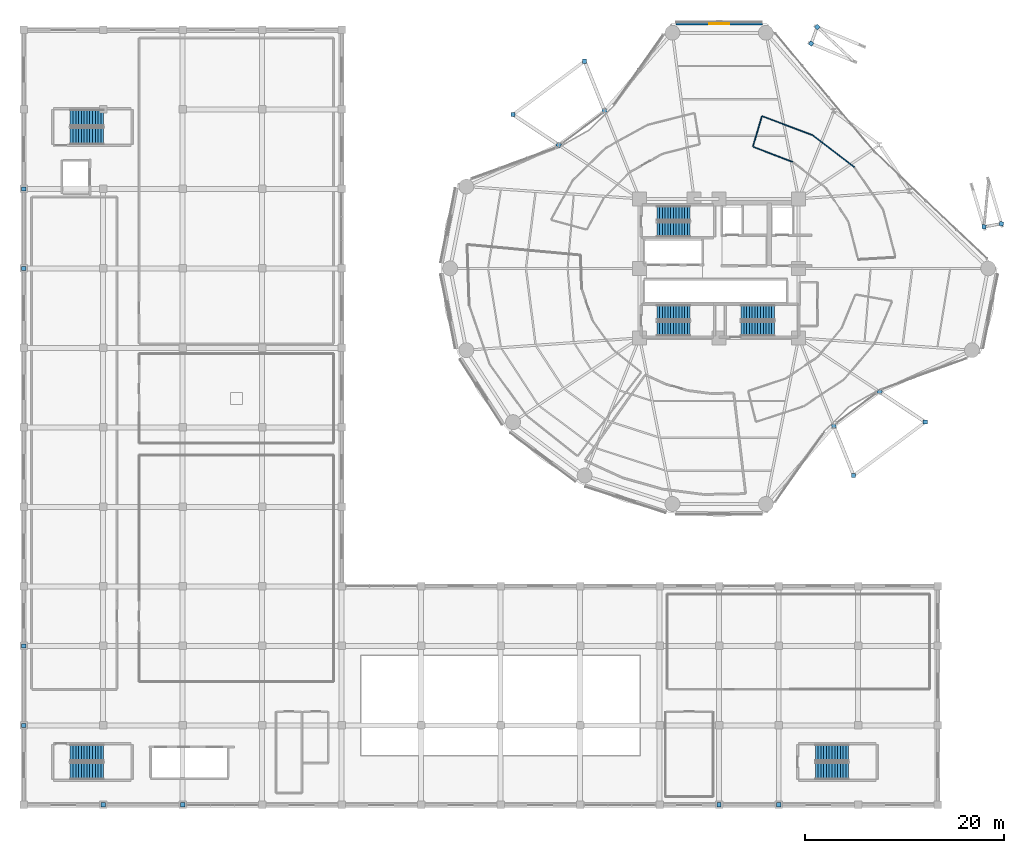
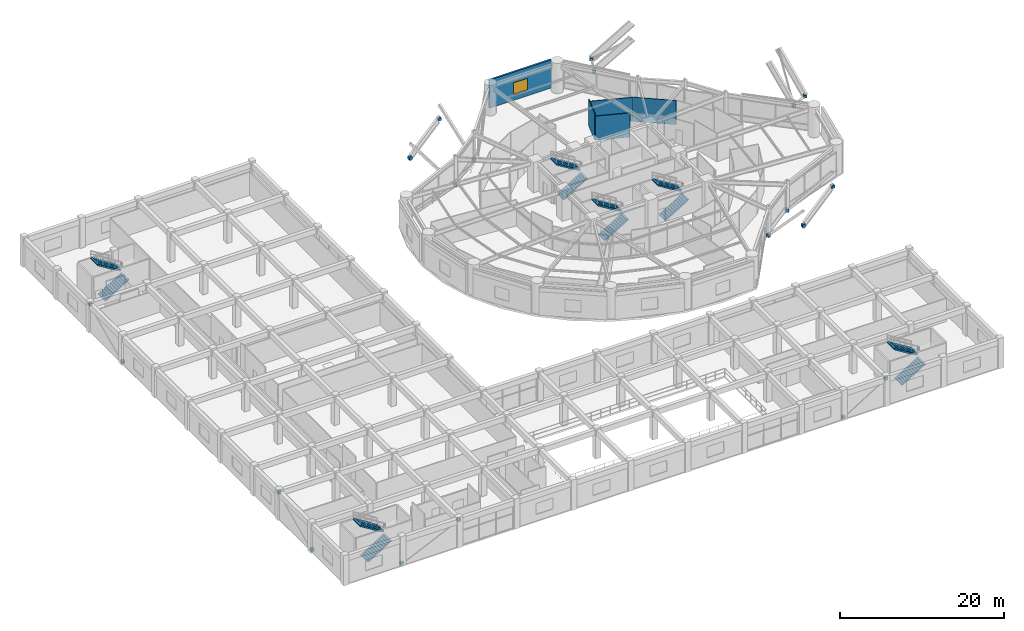
# One storey, part 47 of 55: 20 discrete accessories, 12 stair flights, 5 walls, 1 window, 1 opening, 6 elements without a shape of their own.
"""IFC4 building model written with IfcOpenShell, lengths in metres."""

from ifc_helpers import new_model, si_unit, direction, frame, frame_2d, origin, origin_2d, place, context, subcontext, project, spatial, polyline, rectangle, outline, extrude, source, transform, mapped, material, layer, layer_set, type_object, element, fill, aggregate, save


model = new_model("IFC4")

# Units and contexts
model_context = context("Model", 3, precision=1e-05, world=origin(), true_north=direction((0.0, 1.0)))
body_context = subcontext(model_context, "Body", "Model", "MODEL_VIEW")
ifc_project = project(units=[si_unit("LENGTHUNIT", "METRE"), si_unit("AREAUNIT", "SQUARE_METRE"), si_unit("VOLUMEUNIT", "CUBIC_METRE"), si_unit("PLANEANGLEUNIT", "RADIAN"), si_unit("MASSUNIT", "GRAM", prefix="KILO")], contexts=[model_context])

# Site, building, storey
site_placement = place(None, origin())
site = spatial("IfcSite", under=ifc_project, at=site_placement, CompositionType="ELEMENT")
building_placement = place(site_placement, origin())
building = spatial("IfcBuilding", under=site, at=building_placement, Name="Kelanora Arch Commons", CompositionType="ELEMENT")
storey_placement = place(building_placement, frame((0.0, 0.0, 4.5)))
storey = spatial("IfcBuildingStorey", under=building, at=storey_placement, Name="L01", CompositionType="ELEMENT", Elevation=4.5)

# Wall, opening, window
ifc_material_1 = material(Name="Precast concrete C40/50 with terracotta rainscreen", Category="masonry")
ifc_layer_1 = layer(ifc_material_1, 0.260009765625)
ifc_layer_set_1 = layer_set([ifc_layer_1], Name="Precast concrete C40/50 with terracotta rainscreen")
wall_type_1 = type_object("IfcWallType", Name="W-EXT-TC", PredefinedType="SOLIDWALL", material=ifc_layer_set_1)
wall_1_placement = place(storey_placement, frame((78.35595703125, 82.6201171875, 0.0), z_axis=(0.0, 0.0, 1.0), x_axis=(-1.0, 0.0, 0.0)))
wall_1 = element("IfcWall", 1, at=wall_1_placement, inside=storey, type_object=wall_type_1, Name="Terracotta Exterior Wall L01-B04", PredefinedType="SOLIDWALL", context=body_context, shape_type="SweptSolid", body=[
    extrude(rectangle(XDim=8.7119140625, YDim=0.260009765625, at=frame_2d((4.35595703125, 0.0))), origin(), (0.0, 0.0, 1.0), 4.18505859375),
])
opening_placement = place(wall_1_placement, frame((3.35595703125, 0.0, 0.85009765625)))
opening = element("IfcOpeningElement", 2, at=opening_placement, cuts=wall_1, Name="Opening WN-05", PredefinedType="OPENING", context=body_context, shape_type="SweptSolid", body=[
    extrude(rectangle(XDim=2.0, YDim=1.75, at=frame_2d((1.0, 0.875))), frame((0.0, 0.14013671875, 0.0), z_axis=(0.0, -1.0, 0.0), x_axis=(1.0, 0.0, 0.0)), (0.0, 0.0, 1.0), 0.280029296875),
])
ifc_material_2 = material(Name="Terracotta-anodised aluminium podium window", Category="masonry")
window_type = type_object("IfcWindowType", Name="WIN-POD-20", PartitioningType="TRIPLE_PANEL_VERTICAL", PredefinedType="WINDOW", material=ifc_material_2)
window_placement = place(opening_placement, origin())
window = element("IfcWindow", 3, at=window_placement, inside=storey, type_object=window_type, Name="Podium Window L01-B04", OverallHeight=1.75, OverallWidth=2.0, PartitioningType="SINGLE_PANEL", PredefinedType="WINDOW", context=body_context, shape_type="SweptSolid", body=[
    extrude(rectangle(XDim=2.0, YDim=1.75, at=frame_2d((1.0, 0.875))), frame((0.0, 0.030029296875, 0.0), z_axis=(0.0, -1.0, 0.0), x_axis=(1.0, 0.0, 0.0)), (0.0, 0.0, 1.0), 0.06005859375),
])
fill(opening, window)

# Walls
ifc_material_3 = material(Name="Lightweight fire-rated acoustic stud partition")
ifc_layer_2 = layer(ifc_material_3, 0.10009765625)
ifc_layer_set_2 = layer_set([ifc_layer_2], Name="Lightweight fire-rated acoustic stud partition")
wall_type_2 = type_object("IfcWallType", Name="W-PART-100", PredefinedType="PARTITIONING", material=ifc_layer_set_2)
wall_2_placement = place(storey_placement, frame((81.3916015625, 68.71630859375, 0.0), z_axis=(0.0, 0.0, 1.0), x_axis=(-0.934094181621, 0.357026693487, 0.0)))
element("IfcWall", 4, at=wall_2_placement, inside=storey, type_object=wall_type_2, Name="Arch Portal Overlook Co-Working Commons L01-A Enclosure Partition 4", PredefinedType="PARTITIONING", context=body_context, shape_type="SweptSolid", body=[
    extrude(rectangle(XDim=4.24169921875, YDim=0.10009765625, at=frame_2d((2.120849609375, 0.0))), origin(), (0.0, 0.0, 1.0), 3.5849609375),
])
wall_3_placement = place(storey_placement, frame((77.4033203125, 70.283447265625, 0.0), z_axis=(0.0, 0.0, 1.0), x_axis=(0.284027408145, 0.958816161432, 0.0)))
element("IfcWall", 5, at=wall_3_placement, inside=storey, type_object=wall_type_2, Name="Arch Portal Overlook Co-Working Commons L01-A Enclosure Partition 5", PredefinedType="PARTITIONING", context=body_context, shape_type="SweptSolid", body=[
    extrude(rectangle(XDim=3.13818359375, YDim=0.10009765625, at=frame_2d((1.569091796875, 0.0))), origin(), (0.0, 0.0, 1.0), 3.945068359375),
])
wall_4_placement = place(storey_placement, frame((78.343505859375, 73.31689453125, 0.0), z_axis=(0.0, 0.0, 1.0), x_axis=(0.935761144596, -0.35263448536, 0.0)))
element("IfcWall", 6, at=wall_4_placement, inside=storey, type_object=wall_type_2, Name="Arch Portal Overlook Co-Working Commons L01-A Enclosure Partition 6", PredefinedType="PARTITIONING", context=body_context, shape_type="SweptSolid", body=[
    extrude(rectangle(XDim=5.39892578125, YDim=0.10009765625, at=frame_2d((2.699462890625, 0.0))), origin(), (0.0, 0.0, 1.0), 3.5849609375),
])
wall_5_placement = place(storey_placement, frame((83.464599609375, 71.37451171875, 0.0), z_axis=(0.0, 0.0, 1.0), x_axis=(0.791722248932, -0.610881232766, 0.0)))
element("IfcWall", 7, at=wall_5_placement, inside=storey, type_object=wall_type_2, Name="Arch Portal Overlook Co-Working Commons L01-A Enclosure Partition 7", PredefinedType="PARTITIONING", context=body_context, shape_type="SweptSolid", body=[
    extrude(rectangle(XDim=5.228759765625, YDim=0.10009765625, at=frame_2d((2.6142578125, 0.0))), origin(), (0.0, 0.0, 1.0), 3.5849609375),
])

# Stair, stair flights
ifc_material_4 = material(Name="Concrete C40/50", Category="concrete")
stair_type = type_object("IfcStairType", Name="STR-DL-450", PredefinedType="HALF_TURN_STAIR", material=ifc_material_4)
stair_1_placement = place(storey_placement, origin())
stair_1 = element("IfcStair", 8, at=stair_1_placement, inside=storey, type_object=stair_type, Name="L01 ST-T1", PredefinedType="HALF_TURN_STAIR")
stair_flight_type = type_object("IfcStairFlightType", Name="FLT-DL-450", PredefinedType="STRAIGHT", material=ifc_material_4)
stair_flight_1_placement = place(storey_placement, frame((67.719970703125, 61.919921875, 0.0), z_axis=(0.0, 0.0, 1.0), x_axis=(1.0, 0.0, 0.0)))
stair_flight_1 = element("IfcStairFlight", 9, at=stair_flight_1_placement, type_object=stair_flight_type, Name="ST-T1 flight 1", NumberOfRisers=13, NumberOfTreads=12, PredefinedType="STRAIGHT", RiserHeight=0.173076923, TreadLength=0.28, context=body_context, shape_type="SweptSolid", body=[
    extrude(outline(polyline([(0.0, 0.0), (0.0, 0.173095703125), (0.280029296875, 0.173095703125), (0.280029296875, 0.34619140625), (0.56005859375, 0.34619140625), (0.56005859375, 0.519287109375), (0.840087890625, 0.519287109375), (0.840087890625, 0.6923828125), (1.1201171875, 0.6923828125), (1.1201171875, 0.865478515625), (1.39990234375, 0.865478515625), (1.39990234375, 1.03857421875), (1.679931640625, 1.03857421875), (1.679931640625, 1.21142578125), (1.9599609375, 1.21142578125), (1.9599609375, 1.384521484375), (2.239990234375, 1.384521484375), (2.239990234375, 1.5576171875), (2.52001953125, 1.5576171875), (2.52001953125, 1.730712890625), (2.800048828125, 1.730712890625), (2.800048828125, 1.90380859375), (3.080078125, 1.90380859375), (3.080078125, 2.076904296875), (3.360107421875, 2.076904296875), (3.360107421875, 2.25), (3.360107421875, 1.900634765625), (0.28515625, 0.0), (0.0, 0.0)])), frame((0.0, 0.739990234375, 0.0), z_axis=(0.0, -1.0, 0.0), x_axis=(1.0, 0.0, 0.0)), (0.0, 0.0, 1.0), 1.47998046875),
])
stair_flight_2_placement = place(storey_placement, frame((71.080078125, 63.550048828125, 2.25), z_axis=(0.0, 0.0, 1.0), x_axis=(-1.0, 0.0, 0.0)))
stair_flight_2 = element("IfcStairFlight", 10, at=stair_flight_2_placement, type_object=stair_flight_type, Name="ST-T1 flight 2", NumberOfRisers=13, NumberOfTreads=12, PredefinedType="STRAIGHT", RiserHeight=0.173076923, TreadLength=0.28, context=body_context, shape_type="SweptSolid", body=[
    extrude(outline(polyline([(0.0, 0.0), (0.0, 0.173095703125), (0.280029296875, 0.173095703125), (0.280029296875, 0.34619140625), (0.56005859375, 0.34619140625), (0.56005859375, 0.519287109375), (0.840087890625, 0.519287109375), (0.840087890625, 0.6923828125), (1.1201171875, 0.6923828125), (1.1201171875, 0.865478515625), (1.39990234375, 0.865478515625), (1.39990234375, 1.03857421875), (1.679931640625, 1.03857421875), (1.679931640625, 1.21142578125), (1.9599609375, 1.21142578125), (1.9599609375, 1.384521484375), (2.239990234375, 1.384521484375), (2.239990234375, 1.5576171875), (2.52001953125, 1.5576171875), (2.52001953125, 1.730712890625), (2.800048828125, 1.730712890625), (2.800048828125, 1.90380859375), (3.080078125, 1.90380859375), (3.080078125, 2.076904296875), (3.360107421875, 2.076904296875), (3.360107421875, 2.25), (3.360107421875, 1.900634765625), (0.28515625, 0.0), (0.0, 0.0)])), frame((0.0, 0.739990234375, 0.0), z_axis=(0.0, -1.0, 0.0), x_axis=(1.0, 0.0, 0.0)), (0.0, 0.0, 1.0), 1.47998046875),
])
aggregate(stair_1, [stair_flight_1, stair_flight_2])

stair_2_placement = place(storey_placement, origin())
stair_2 = element("IfcStair", 11, at=stair_2_placement, inside=storey, type_object=stair_type, Name="L01 ST-T2", PredefinedType="HALF_TURN_STAIR")
stair_flight_3_placement = place(storey_placement, frame((76.199951171875, 51.919921875, 0.0), z_axis=(0.0, 0.0, 1.0), x_axis=(1.0, 0.0, 0.0)))
stair_flight_3 = element("IfcStairFlight", 12, at=stair_flight_3_placement, type_object=stair_flight_type, Name="ST-T2 flight 1", NumberOfRisers=13, NumberOfTreads=12, PredefinedType="STRAIGHT", RiserHeight=0.173076923, TreadLength=0.28, context=body_context, shape_type="SweptSolid", body=[
    extrude(outline(polyline([(0.0, 0.0), (0.0, 0.173095703125), (0.280029296875, 0.173095703125), (0.280029296875, 0.34619140625), (0.56005859375, 0.34619140625), (0.56005859375, 0.519287109375), (0.840087890625, 0.519287109375), (0.840087890625, 0.6923828125), (1.1201171875, 0.6923828125), (1.1201171875, 0.865478515625), (1.39990234375, 0.865478515625), (1.39990234375, 1.03857421875), (1.679931640625, 1.03857421875), (1.679931640625, 1.21142578125), (1.9599609375, 1.21142578125), (1.9599609375, 1.384521484375), (2.239990234375, 1.384521484375), (2.239990234375, 1.5576171875), (2.52001953125, 1.5576171875), (2.52001953125, 1.730712890625), (2.800048828125, 1.730712890625), (2.800048828125, 1.90380859375), (3.080078125, 1.90380859375), (3.080078125, 2.076904296875), (3.360107421875, 2.076904296875), (3.360107421875, 2.25), (3.360107421875, 1.900634765625), (0.28515625, 0.0), (0.0, 0.0)])), frame((0.0, 0.739990234375, 0.0), z_axis=(0.0, -1.0, 0.0), x_axis=(1.0, 0.0, 0.0)), (0.0, 0.0, 1.0), 1.47998046875),
])
stair_flight_4_placement = place(storey_placement, frame((79.56005859375, 53.550048828125, 2.25), z_axis=(0.0, 0.0, 1.0), x_axis=(-1.0, 0.0, 0.0)))
stair_flight_4 = element("IfcStairFlight", 13, at=stair_flight_4_placement, type_object=stair_flight_type, Name="ST-T2 flight 2", NumberOfRisers=13, NumberOfTreads=12, PredefinedType="STRAIGHT", RiserHeight=0.173076923, TreadLength=0.28, context=body_context, shape_type="SweptSolid", body=[
    extrude(outline(polyline([(0.0, 0.0), (0.0, 0.173095703125), (0.280029296875, 0.173095703125), (0.280029296875, 0.34619140625), (0.56005859375, 0.34619140625), (0.56005859375, 0.519287109375), (0.840087890625, 0.519287109375), (0.840087890625, 0.6923828125), (1.1201171875, 0.6923828125), (1.1201171875, 0.865478515625), (1.39990234375, 0.865478515625), (1.39990234375, 1.03857421875), (1.679931640625, 1.03857421875), (1.679931640625, 1.21142578125), (1.9599609375, 1.21142578125), (1.9599609375, 1.384521484375), (2.239990234375, 1.384521484375), (2.239990234375, 1.5576171875), (2.52001953125, 1.5576171875), (2.52001953125, 1.730712890625), (2.800048828125, 1.730712890625), (2.800048828125, 1.90380859375), (3.080078125, 1.90380859375), (3.080078125, 2.076904296875), (3.360107421875, 2.076904296875), (3.360107421875, 2.25), (3.360107421875, 1.900634765625), (0.28515625, 0.0), (0.0, 0.0)])), frame((0.0, 0.739990234375, 0.0), z_axis=(0.0, -1.0, 0.0), x_axis=(1.0, 0.0, 0.0)), (0.0, 0.0, 1.0), 1.47998046875),
])
aggregate(stair_2, [stair_flight_3, stair_flight_4])

stair_3_placement = place(storey_placement, origin())
stair_3 = element("IfcStair", 14, at=stair_3_placement, inside=storey, type_object=stair_type, Name="L01 ST-T3", PredefinedType="HALF_TURN_STAIR")
stair_flight_5_placement = place(storey_placement, frame((67.719970703125, 51.919921875, 0.0), z_axis=(0.0, 0.0, 1.0), x_axis=(1.0, 0.0, 0.0)))
stair_flight_5 = element("IfcStairFlight", 15, at=stair_flight_5_placement, type_object=stair_flight_type, Name="ST-T3 flight 1", NumberOfRisers=13, NumberOfTreads=12, PredefinedType="STRAIGHT", RiserHeight=0.173076923, TreadLength=0.28, context=body_context, shape_type="SweptSolid", body=[
    extrude(outline(polyline([(0.0, 0.0), (0.0, 0.173095703125), (0.280029296875, 0.173095703125), (0.280029296875, 0.34619140625), (0.56005859375, 0.34619140625), (0.56005859375, 0.519287109375), (0.840087890625, 0.519287109375), (0.840087890625, 0.6923828125), (1.1201171875, 0.6923828125), (1.1201171875, 0.865478515625), (1.39990234375, 0.865478515625), (1.39990234375, 1.03857421875), (1.679931640625, 1.03857421875), (1.679931640625, 1.21142578125), (1.9599609375, 1.21142578125), (1.9599609375, 1.384521484375), (2.239990234375, 1.384521484375), (2.239990234375, 1.5576171875), (2.52001953125, 1.5576171875), (2.52001953125, 1.730712890625), (2.800048828125, 1.730712890625), (2.800048828125, 1.90380859375), (3.080078125, 1.90380859375), (3.080078125, 2.076904296875), (3.360107421875, 2.076904296875), (3.360107421875, 2.25), (3.360107421875, 1.900634765625), (0.28515625, 0.0), (0.0, 0.0)])), frame((0.0, 0.739990234375, 0.0), z_axis=(0.0, -1.0, 0.0), x_axis=(1.0, 0.0, 0.0)), (0.0, 0.0, 1.0), 1.47998046875),
])
stair_flight_6_placement = place(storey_placement, frame((71.080078125, 53.550048828125, 2.25), z_axis=(0.0, 0.0, 1.0), x_axis=(-1.0, 0.0, 0.0)))
stair_flight_6 = element("IfcStairFlight", 16, at=stair_flight_6_placement, type_object=stair_flight_type, Name="ST-T3 flight 2", NumberOfRisers=13, NumberOfTreads=12, PredefinedType="STRAIGHT", RiserHeight=0.173076923, TreadLength=0.28, context=body_context, shape_type="SweptSolid", body=[
    extrude(outline(polyline([(0.0, 0.0), (0.0, 0.173095703125), (0.280029296875, 0.173095703125), (0.280029296875, 0.34619140625), (0.56005859375, 0.34619140625), (0.56005859375, 0.519287109375), (0.840087890625, 0.519287109375), (0.840087890625, 0.6923828125), (1.1201171875, 0.6923828125), (1.1201171875, 0.865478515625), (1.39990234375, 0.865478515625), (1.39990234375, 1.03857421875), (1.679931640625, 1.03857421875), (1.679931640625, 1.21142578125), (1.9599609375, 1.21142578125), (1.9599609375, 1.384521484375), (2.239990234375, 1.384521484375), (2.239990234375, 1.5576171875), (2.52001953125, 1.5576171875), (2.52001953125, 1.730712890625), (2.800048828125, 1.730712890625), (2.800048828125, 1.90380859375), (3.080078125, 1.90380859375), (3.080078125, 2.076904296875), (3.360107421875, 2.076904296875), (3.360107421875, 2.25), (3.360107421875, 1.900634765625), (0.28515625, 0.0), (0.0, 0.0)])), frame((0.0, 0.739990234375, 0.0), z_axis=(0.0, -1.0, 0.0), x_axis=(1.0, 0.0, 0.0)), (0.0, 0.0, 1.0), 1.47998046875),
])
aggregate(stair_3, [stair_flight_5, stair_flight_6])

stair_4_placement = place(storey_placement, origin())
stair_4 = element("IfcStair", 17, at=stair_4_placement, inside=storey, type_object=stair_type, Name="L01 ST-M1", PredefinedType="HALF_TURN_STAIR")
stair_flight_7_placement = place(storey_placement, frame((8.679931640625, 7.39990234375, 0.0), z_axis=(0.0, 0.0, 1.0), x_axis=(1.0, 0.0, 0.0)))
stair_flight_7 = element("IfcStairFlight", 18, at=stair_flight_7_placement, type_object=stair_flight_type, Name="ST-M1 flight 1", NumberOfRisers=13, NumberOfTreads=12, PredefinedType="STRAIGHT", RiserHeight=0.173076923, TreadLength=0.28, context=body_context, shape_type="SweptSolid", body=[
    extrude(outline(polyline([(0.0, 0.0), (0.0, 0.173095703125), (0.280029296875, 0.173095703125), (0.280029296875, 0.34619140625), (0.56005859375, 0.34619140625), (0.56005859375, 0.519287109375), (0.840087890625, 0.519287109375), (0.840087890625, 0.6923828125), (1.1201171875, 0.6923828125), (1.1201171875, 0.865478515625), (1.39990234375, 0.865478515625), (1.39990234375, 1.03857421875), (1.679931640625, 1.03857421875), (1.679931640625, 1.21142578125), (1.9599609375, 1.21142578125), (1.9599609375, 1.384521484375), (2.239990234375, 1.384521484375), (2.239990234375, 1.5576171875), (2.52001953125, 1.5576171875), (2.52001953125, 1.730712890625), (2.800048828125, 1.730712890625), (2.800048828125, 1.90380859375), (3.080078125, 1.90380859375), (3.080078125, 2.076904296875), (3.360107421875, 2.076904296875), (3.360107421875, 2.25), (3.360107421875, 1.900634765625), (0.28515625, 0.0), (0.0, 0.0)])), frame((0.0, 0.83984375, 0.0), z_axis=(0.0, -1.0, 0.0), x_axis=(1.0, 0.0, 0.0)), (0.0, 0.0, 1.0), 1.679931640625),
])
stair_flight_8_placement = place(storey_placement, frame((12.0400390625, 9.22998046875, 2.25), z_axis=(0.0, 0.0, 1.0), x_axis=(-1.0, 0.0, 0.0)))
stair_flight_8 = element("IfcStairFlight", 19, at=stair_flight_8_placement, type_object=stair_flight_type, Name="ST-M1 flight 2", NumberOfRisers=13, NumberOfTreads=12, PredefinedType="STRAIGHT", RiserHeight=0.173076923, TreadLength=0.28, context=body_context, shape_type="SweptSolid", body=[
    extrude(outline(polyline([(0.0, 0.0), (0.0, 0.173095703125), (0.280029296875, 0.173095703125), (0.280029296875, 0.34619140625), (0.56005859375, 0.34619140625), (0.56005859375, 0.519287109375), (0.840087890625, 0.519287109375), (0.840087890625, 0.6923828125), (1.1201171875, 0.6923828125), (1.1201171875, 0.865478515625), (1.39990234375, 0.865478515625), (1.39990234375, 1.03857421875), (1.679931640625, 1.03857421875), (1.679931640625, 1.21142578125), (1.9599609375, 1.21142578125), (1.9599609375, 1.384521484375), (2.239990234375, 1.384521484375), (2.239990234375, 1.5576171875), (2.52001953125, 1.5576171875), (2.52001953125, 1.730712890625), (2.800048828125, 1.730712890625), (2.800048828125, 1.90380859375), (3.080078125, 1.90380859375), (3.080078125, 2.076904296875), (3.360107421875, 2.076904296875), (3.360107421875, 2.25), (3.360107421875, 1.900634765625), (0.28515625, 0.0), (0.0, 0.0)])), frame((0.0, 0.83984375, 0.0), z_axis=(0.0, -1.0, 0.0), x_axis=(1.0, 0.0, 0.0)), (0.0, 0.0, 1.0), 1.679931640625),
])
aggregate(stair_4, [stair_flight_7, stair_flight_8])

stair_5_placement = place(storey_placement, origin())
stair_5 = element("IfcStair", 20, at=stair_5_placement, inside=storey, type_object=stair_type, Name="L01 ST-M2", PredefinedType="HALF_TURN_STAIR")
stair_flight_9_placement = place(storey_placement, frame((83.679931640625, 7.39990234375, 0.0), z_axis=(0.0, 0.0, 1.0), x_axis=(1.0, 0.0, 0.0)))
stair_flight_9 = element("IfcStairFlight", 21, at=stair_flight_9_placement, type_object=stair_flight_type, Name="ST-M2 flight 1", NumberOfRisers=13, NumberOfTreads=12, PredefinedType="STRAIGHT", RiserHeight=0.173076923, TreadLength=0.28, context=body_context, shape_type="SweptSolid", body=[
    extrude(outline(polyline([(0.0, 0.0), (0.0, 0.173095703125), (0.280029296875, 0.173095703125), (0.280029296875, 0.34619140625), (0.56005859375, 0.34619140625), (0.56005859375, 0.519287109375), (0.840087890625, 0.519287109375), (0.840087890625, 0.6923828125), (1.1201171875, 0.6923828125), (1.1201171875, 0.865478515625), (1.39990234375, 0.865478515625), (1.39990234375, 1.03857421875), (1.679931640625, 1.03857421875), (1.679931640625, 1.21142578125), (1.9599609375, 1.21142578125), (1.9599609375, 1.384521484375), (2.239990234375, 1.384521484375), (2.239990234375, 1.5576171875), (2.52001953125, 1.5576171875), (2.52001953125, 1.730712890625), (2.800048828125, 1.730712890625), (2.800048828125, 1.90380859375), (3.080078125, 1.90380859375), (3.080078125, 2.076904296875), (3.360107421875, 2.076904296875), (3.360107421875, 2.25), (3.360107421875, 1.900634765625), (0.28515625, 0.0), (0.0, 0.0)])), frame((0.0, 0.83984375, 0.0), z_axis=(0.0, -1.0, 0.0), x_axis=(1.0, 0.0, 0.0)), (0.0, 0.0, 1.0), 1.679931640625),
])
stair_flight_10_placement = place(storey_placement, frame((87.0400390625, 9.22998046875, 2.25), z_axis=(0.0, 0.0, 1.0), x_axis=(-1.0, 0.0, 0.0)))
stair_flight_10 = element("IfcStairFlight", 22, at=stair_flight_10_placement, type_object=stair_flight_type, Name="ST-M2 flight 2", NumberOfRisers=13, NumberOfTreads=12, PredefinedType="STRAIGHT", RiserHeight=0.173076923, TreadLength=0.28, context=body_context, shape_type="SweptSolid", body=[
    extrude(outline(polyline([(0.0, 0.0), (0.0, 0.173095703125), (0.280029296875, 0.173095703125), (0.280029296875, 0.34619140625), (0.56005859375, 0.34619140625), (0.56005859375, 0.519287109375), (0.840087890625, 0.519287109375), (0.840087890625, 0.6923828125), (1.1201171875, 0.6923828125), (1.1201171875, 0.865478515625), (1.39990234375, 0.865478515625), (1.39990234375, 1.03857421875), (1.679931640625, 1.03857421875), (1.679931640625, 1.21142578125), (1.9599609375, 1.21142578125), (1.9599609375, 1.384521484375), (2.239990234375, 1.384521484375), (2.239990234375, 1.5576171875), (2.52001953125, 1.5576171875), (2.52001953125, 1.730712890625), (2.800048828125, 1.730712890625), (2.800048828125, 1.90380859375), (3.080078125, 1.90380859375), (3.080078125, 2.076904296875), (3.360107421875, 2.076904296875), (3.360107421875, 2.25), (3.360107421875, 1.900634765625), (0.28515625, 0.0), (0.0, 0.0)])), frame((0.0, 0.83984375, 0.0), z_axis=(0.0, -1.0, 0.0), x_axis=(1.0, 0.0, 0.0)), (0.0, 0.0, 1.0), 1.679931640625),
])
aggregate(stair_5, [stair_flight_9, stair_flight_10])

stair_6_placement = place(storey_placement, origin())
stair_6 = element("IfcStair", 23, at=stair_6_placement, inside=storey, type_object=stair_type, Name="L01 ST-M3", PredefinedType="HALF_TURN_STAIR")
stair_flight_11_placement = place(storey_placement, frame((8.679931640625, 71.320068359375, 0.0), z_axis=(0.0, 0.0, 1.0), x_axis=(1.0, 0.0, 0.0)))
stair_flight_11 = element("IfcStairFlight", 24, at=stair_flight_11_placement, type_object=stair_flight_type, Name="ST-M3 flight 1", NumberOfRisers=13, NumberOfTreads=12, PredefinedType="STRAIGHT", RiserHeight=0.173076923, TreadLength=0.28, context=body_context, shape_type="SweptSolid", body=[
    extrude(outline(polyline([(0.0, 0.0), (0.0, 0.173095703125), (0.280029296875, 0.173095703125), (0.280029296875, 0.34619140625), (0.56005859375, 0.34619140625), (0.56005859375, 0.519287109375), (0.840087890625, 0.519287109375), (0.840087890625, 0.6923828125), (1.1201171875, 0.6923828125), (1.1201171875, 0.865478515625), (1.39990234375, 0.865478515625), (1.39990234375, 1.03857421875), (1.679931640625, 1.03857421875), (1.679931640625, 1.21142578125), (1.9599609375, 1.21142578125), (1.9599609375, 1.384521484375), (2.239990234375, 1.384521484375), (2.239990234375, 1.5576171875), (2.52001953125, 1.5576171875), (2.52001953125, 1.730712890625), (2.800048828125, 1.730712890625), (2.800048828125, 1.90380859375), (3.080078125, 1.90380859375), (3.080078125, 2.076904296875), (3.360107421875, 2.076904296875), (3.360107421875, 2.25), (3.360107421875, 1.900634765625), (0.28515625, 0.0), (0.0, 0.0)])), frame((0.0, 0.83984375, 0.0), z_axis=(0.0, -1.0, 0.0), x_axis=(1.0, 0.0, 0.0)), (0.0, 0.0, 1.0), 1.679931640625),
])
stair_flight_12_placement = place(storey_placement, frame((12.0400390625, 73.14990234375, 2.25), z_axis=(0.0, 0.0, 1.0), x_axis=(-1.0, 0.0, 0.0)))
stair_flight_12 = element("IfcStairFlight", 25, at=stair_flight_12_placement, type_object=stair_flight_type, Name="ST-M3 flight 2", NumberOfRisers=13, NumberOfTreads=12, PredefinedType="STRAIGHT", RiserHeight=0.173076923, TreadLength=0.28, context=body_context, shape_type="SweptSolid", body=[
    extrude(outline(polyline([(0.0, 0.0), (0.0, 0.173095703125), (0.280029296875, 0.173095703125), (0.280029296875, 0.34619140625), (0.56005859375, 0.34619140625), (0.56005859375, 0.519287109375), (0.840087890625, 0.519287109375), (0.840087890625, 0.6923828125), (1.1201171875, 0.6923828125), (1.1201171875, 0.865478515625), (1.39990234375, 0.865478515625), (1.39990234375, 1.03857421875), (1.679931640625, 1.03857421875), (1.679931640625, 1.21142578125), (1.9599609375, 1.21142578125), (1.9599609375, 1.384521484375), (2.239990234375, 1.384521484375), (2.239990234375, 1.5576171875), (2.52001953125, 1.5576171875), (2.52001953125, 1.730712890625), (2.800048828125, 1.730712890625), (2.800048828125, 1.90380859375), (3.080078125, 1.90380859375), (3.080078125, 2.076904296875), (3.360107421875, 2.076904296875), (3.360107421875, 2.25), (3.360107421875, 1.900634765625), (0.28515625, 0.0), (0.0, 0.0)])), frame((0.0, 0.83984375, 0.0), z_axis=(0.0, -1.0, 0.0), x_axis=(1.0, 0.0, 0.0)), (0.0, 0.0, 1.0), 1.679931640625),
])
aggregate(stair_6, [stair_flight_11, stair_flight_12])

# Discrete accessories
ifc_material_5 = material(Name="Steel S355", Category="steel")
discrete_accessory_type = type_object("IfcDiscreteAccessoryType", Name="ACC-BRC-CONN", PredefinedType="BRACKET", material=ifc_material_5)
shared_shape = source(origin(), body_context, "Body", "SweptSolid", [
    extrude(rectangle(XDim=0.419921875, YDim=0.419921875, at=origin_2d()), origin(), (0.0, 0.0, 1.0), 0.419921875),
])
for number, where, z_axis, x_axis, name in (
    (26, (12.0, 4.0, 0.0400390625), (0.0, 0.0, 1.0), (1.0, 0.0, 0.0), "Brace and Strut Gusset End Connection 0009"),
    (27, (20.0, 4.0, 3.739990234375), (0.0, 0.0, 1.0), (1.0, 0.0, 0.0), "Brace and Strut Gusset End Connection 0010"),
    (28, (74.0, 4.0, 0.0400390625), (0.0, 0.0, 1.0), (1.0, 0.0, 0.0), "Brace and Strut Gusset End Connection 0011"),
    (29, (80.0, 4.0, 3.739990234375), (0.0, 0.0, 1.0), (1.0, 0.0, 0.0), "Brace and Strut Gusset End Connection 0012"),
    (30, (4.0, 12.0, 0.0400390625), (0.0, 0.0, 1.0), (0.0, 1.0, 0.0), "Brace and Strut Gusset End Connection 0013"),
    (31, (4.0, 20.0, 3.739990234375), (0.0, 0.0, 1.0), (0.0, 1.0, 0.0), "Brace and Strut Gusset End Connection 0014"),
    (32, (4.0, 58.0, 0.0400390625), (0.0, 0.0, 1.0), (0.0, 1.0, 0.0), "Brace and Strut Gusset End Connection 0015"),
    (33, (4.0, 66.0, 3.739990234375), (0.0, 0.0, 1.0), (0.0, 1.0, 0.0), "Brace and Strut Gusset End Connection 0016"),
    (34, (62.454345703125, 73.866455078125, -0.10986328125), (0.0, 0.0, 1.0), (-0.37136783555, 0.928485826881, 0.0), "Brace and Strut Gusset End Connection 0017"),
    (35, (57.843505859375, 70.426025390625, -0.10986328125), (0.0, 0.0, 1.0), (-0.832631371411, 0.553827589908, 0.0), "Brace and Strut Gusset End Connection 0019"),
    (36, (85.545654296875, 42.133544921875, -0.10986328125), (0.0, 0.0, 1.0), (0.37136783555, -0.928485826881, 0.0), "Brace and Strut Gusset End Connection 0021"),
    (37, (90.156494140625, 45.573974609375, -0.10986328125), (0.0, 0.0, 1.0), (0.832631371411, -0.553827589908, 0.0), "Brace and Strut Gusset End Connection 0023"),
    (38, (102.41162109375, 62.48876953125, 2.31494140625), (0.0, 0.0, 1.0), (0.28435001862, 0.958720536398, 0.0), "Brace and Strut Gusset End Connection 0218"),
    (39, (100.668701171875, 62.181396484375, 1.70263671875), (0.0, 0.0, 1.0), (0.094282070226, 0.995545524441, 0.0), "Brace and Strut Gusset End Connection 0219"),
    (40, (83.8671875, 82.291015625, 2.31494140625), (0.0, 0.0, 1.0), (-0.730162276621, 0.683273773681, 0.0), "Brace and Strut Gusset End Connection 0230"),
    (41, (83.261962890625, 80.627685546875, 1.70263671875), (0.0, 0.0, 1.0), (-0.83253469758, 0.55397290306, 0.0), "Brace and Strut Gusset End Connection 0231"),
    (42, (60.4599609375, 78.85400390625, 3.68994140625), (0.0, 0.0, 1.0), (1.0, 0.0, 0.0), "Brace and Strut Gusset End Connection 0238"),
    (43, (53.255615234375, 73.478271484375, 3.68994140625), (0.0, 0.0, 1.0), (1.0, 0.0, 0.0), "Brace and Strut Gusset End Connection 0239"),
    (44, (87.5400390625, 37.14599609375, 3.68994140625), (0.0, 0.0, 1.0), (1.0, 0.0, 0.0), "Brace and Strut Gusset End Connection 0240"),
    (45, (94.744384765625, 42.521728515625, 3.68994140625), (0.0, 0.0, 1.0), (1.0, 0.0, 0.0), "Brace and Strut Gusset End Connection 0241"),
):
    element("IfcDiscreteAccessory", number, at=place(storey_placement, frame(where, z_axis=z_axis, x_axis=x_axis)), inside=storey, type_object=discrete_accessory_type, Name=name, PredefinedType="BRACKET", context=body_context, shape_type="MappedRepresentation", body=[
        mapped(shared_shape, transform((0.0, 0.0, 0.0), scale=1.0)),
    ])

save(model, "model.ifc")
